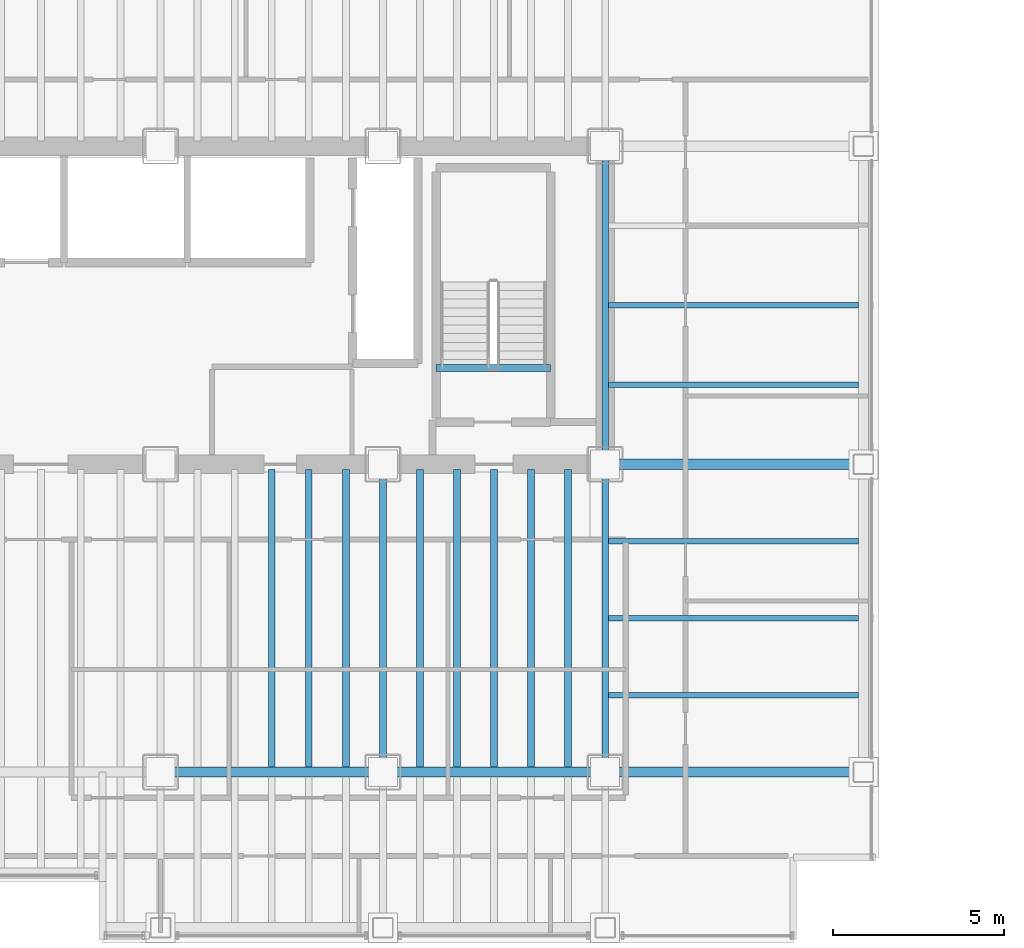
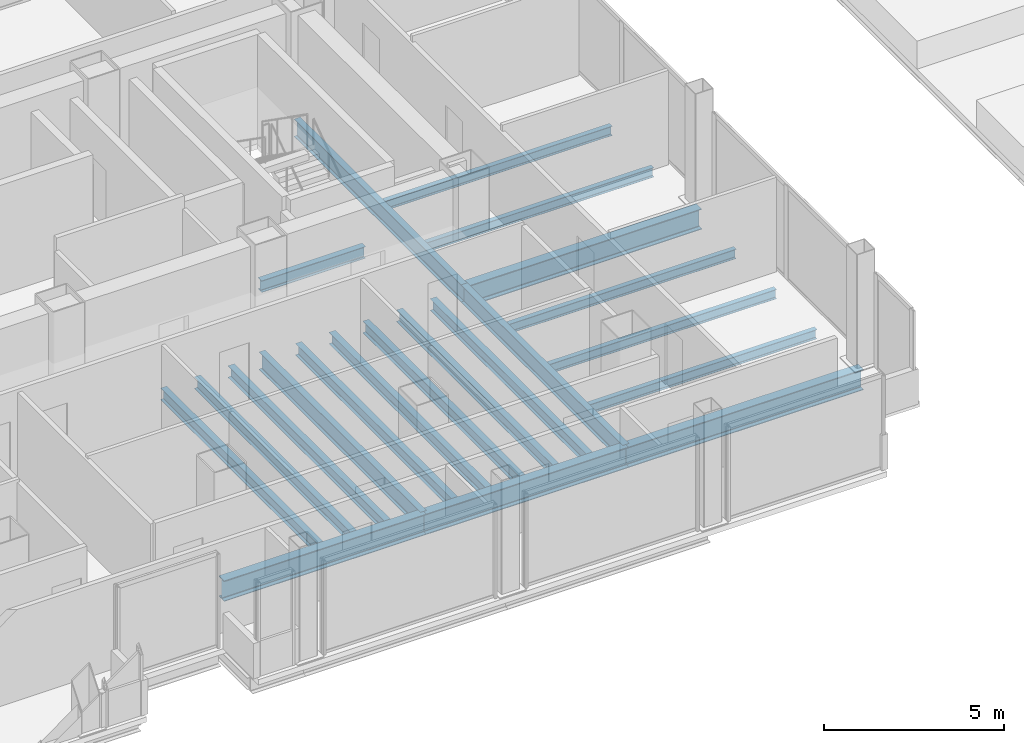
# One storey, part 11 of 30: 21 beams.
"""IFC4 building model written with IfcOpenShell, lengths in metres."""

from ifc_helpers import new_model, si_unit, direction, frame, origin, origin_2d, place, context, subcontext, project, spatial, i_section, extrude, material, material_profile, profile_set, type_object, element, save


model = new_model("IFC4")

# Units and contexts
model_context = context("Model", 3, precision=1e-05, world=origin(), true_north=direction((0.0, 1.0)))
body_context = subcontext(model_context, "Body", "Model", "MODEL_VIEW")
ifc_project = project(units=[si_unit("LENGTHUNIT", "METRE"), si_unit("AREAUNIT", "SQUARE_METRE"), si_unit("VOLUMEUNIT", "CUBIC_METRE"), si_unit("PLANEANGLEUNIT", "RADIAN"), si_unit("MASSUNIT", "GRAM", prefix="KILO")], contexts=[model_context])

# Site, building, storey
site_placement = place(None, origin())
site = spatial("IfcSite", under=ifc_project, at=site_placement, CompositionType="ELEMENT")
building_placement = place(site_placement, origin())
building = spatial("IfcBuilding", under=site, at=building_placement, Name="Noeulbin Bourse Tower", CompositionType="ELEMENT")
storey_placement = place(building_placement, frame((0.0, 0.0, 26.5)))
storey = spatial("IfcBuildingStorey", under=building, at=storey_placement, Name="L06", CompositionType="ELEMENT", Elevation=26.5)

# Beams
ifc_material = material(Name="Steel S355", Category="steel")
ifc_material_profile_1 = material_profile(ifc_material, i_section(OverallWidth=0.199951171875, OverallDepth=0.60009765625, WebThickness=0.010986328125, FlangeThickness=0.01708984375, FilletRadius=0.02197265625, at=origin_2d()), Name="H-600x200x11x17", Category="LoadBearing")
ifc_profile_set_1 = profile_set([ifc_material_profile_1], Name="Steel S355")
beam_type_1 = type_object("IfcBeamType", Name="BM-GRD-600", PredefinedType="USERDEFINED", material=ifc_profile_set_1)
for number, where, z_axis, x_axis, name in (
    (1, (37.5, 20.0, -0.47998046875), (0.0, 1.0, 0.0), (-1.0, 0.0, 0.0), "Tower Primary Girder NS L06-4.2"),
    (2, (44.0, 20.0, -0.47998046875), (0.0, 1.0, 0.0), (-1.0, 0.0, 0.0), "Tower Primary Girder NS L06-5.2"),
):
    element("IfcBeam", number, at=place(storey_placement, frame(where, z_axis=z_axis, x_axis=x_axis)), inside=storey, type_object=beam_type_1, Name=name, ObjectType="GIRDER", PredefinedType="USERDEFINED", context=body_context, shape_type="SweptSolid", body=[
        extrude(i_section(OverallWidth=0.199951171875, OverallDepth=0.60009765625, WebThickness=0.010986328125, FlangeThickness=0.01708984375, FilletRadius=0.02197265625, at=origin_2d()), origin(), (0.0, 0.0, 1.0), 9.0),
    ])
beam_1_placement = place(storey_placement, frame((44.0, 29.0, -0.47998046875), z_axis=(0.0, 1.0, 0.0), x_axis=(-1.0, 0.0, 0.0)))
element("IfcBeam", 3, at=beam_1_placement, inside=storey, type_object=beam_type_1, Name="Tower Primary Girder NS L06-5.3", ObjectType="GIRDER", PredefinedType="USERDEFINED", context=body_context, shape_type="SweptSolid", body=[
    extrude(i_section(OverallWidth=0.199951171875, OverallDepth=0.60009765625, WebThickness=0.010986328125, FlangeThickness=0.01708984375, FilletRadius=0.02197265625, at=origin_2d()), origin(), (0.0, 0.0, 1.0), 9.300048828125),
])
ifc_material_profile_2 = material_profile(ifc_material, i_section(OverallWidth=0.300048828125, OverallDepth=0.699951171875, WebThickness=0.012939453125, FlangeThickness=0.02392578125, FilletRadius=0.02392578125, at=origin_2d()), Name="H-700x300x13x24", Category="LoadBearing")
ifc_profile_set_2 = profile_set([ifc_material_profile_2], Name="Steel S355")
beam_type_2 = type_object("IfcBeamType", Name="BM-GRD-700", PredefinedType="USERDEFINED", material=ifc_profile_set_2)
for number, where, z_axis, x_axis, name in (
    (4, (31.0, 20.0, -0.530029296875), (1.0, 0.0, 0.0), (0.0, 1.0, 0.0), "Tower Primary Girder EW L06-1.4"),
    (5, (37.5, 20.0, -0.530029296875), (1.0, 0.0, 0.0), (0.0, 1.0, 0.0), "Tower Primary Girder EW L06-1.5"),
):
    element("IfcBeam", number, at=place(storey_placement, frame(where, z_axis=z_axis, x_axis=x_axis)), inside=storey, type_object=beam_type_2, Name=name, ObjectType="GIRDER", PredefinedType="USERDEFINED", context=body_context, shape_type="SweptSolid", body=[
        extrude(i_section(OverallWidth=0.300048828125, OverallDepth=0.699951171875, WebThickness=0.012939453125, FlangeThickness=0.02392578125, FilletRadius=0.02392578125, at=origin_2d()), origin(), (0.0, 0.0, 1.0), 6.5),
    ])
for number, where, z_axis, x_axis, name in (
    (6, (44.0, 20.0, -0.530029296875), (1.0, 0.0, 0.0), (0.0, 1.0, 0.0), "Tower Primary Girder EW L06-1.6"),
    (7, (44.0, 29.0, -0.530029296875), (1.0, 0.0, 0.0), (0.0, 1.0, 0.0), "Tower Primary Girder EW L06-2.6"),
):
    element("IfcBeam", number, at=place(storey_placement, frame(where, z_axis=z_axis, x_axis=x_axis)), inside=storey, type_object=beam_type_2, Name=name, ObjectType="GIRDER", PredefinedType="USERDEFINED", context=body_context, shape_type="SweptSolid", body=[
        extrude(i_section(OverallWidth=0.300048828125, OverallDepth=0.699951171875, WebThickness=0.012939453125, FlangeThickness=0.02392578125, FilletRadius=0.02392578125, at=origin_2d()), origin(), (0.0, 0.0, 1.0), 7.550048828125),
    ])
ifc_material_profile_3 = material_profile(ifc_material, i_section(OverallWidth=0.159912109375, OverallDepth=0.320068359375, WebThickness=0.006591796875, FlangeThickness=0.010009765625, FilletRadius=0.012939453125, at=origin_2d()), Name="H-320x160x6.5x10", Category="LoadBearing")
ifc_profile_set_3 = profile_set([ifc_material_profile_3], Name="Steel S355")
beam_type_3 = type_object("IfcBeamType", Name="BM-JST-320", PredefinedType="JOIST", material=ifc_profile_set_3)
for number, where, z_axis, x_axis, name in (
    (8, (44.10009765625, 22.25, -0.340087890625), (1.0, 0.0, 0.0), (0.0, 1.0, 0.0), "Wing Composite Joist L06-E75"),
    (9, (44.10009765625, 24.5, -0.340087890625), (1.0, 0.0, 0.0), (0.0, 1.0, 0.0), "Wing Composite Joist L06-E76"),
    (10, (44.10009765625, 26.75, -0.340087890625), (1.0, 0.0, 0.0), (0.0, 1.0, 0.0), "Wing Composite Joist L06-E77"),
    (11, (44.10009765625, 31.324951171875, -0.340087890625), (1.0, 0.0, 0.0), (0.0, 1.0, 0.0), "Wing Composite Joist L06-E78"),
    (12, (44.10009765625, 33.64990234375, -0.340087890625), (1.0, 0.0, 0.0), (0.0, 1.0, 0.0), "Wing Composite Joist L06-E79"),
):
    element("IfcBeam", number, at=place(storey_placement, frame(where, z_axis=z_axis, x_axis=x_axis)), inside=storey, type_object=beam_type_3, Name=name, PredefinedType="JOIST", context=body_context, shape_type="SweptSolid", body=[
        extrude(i_section(OverallWidth=0.159912109375, OverallDepth=0.320068359375, WebThickness=0.006591796875, FlangeThickness=0.010009765625, FilletRadius=0.012939453125, at=origin_2d()), origin(), (0.0, 0.0, 1.0), 7.2998046875),
    ])
ifc_material_profile_4 = material_profile(ifc_material, i_section(OverallWidth=0.199951171875, OverallDepth=0.39990234375, WebThickness=0.008056640625, FlangeThickness=0.012939453125, FilletRadius=0.01611328125, at=origin_2d()), Name="H-400x200x8x13", Category="LoadBearing")
ifc_profile_set_4 = profile_set([ifc_material_profile_4], Name="Steel S355")
beam_type_4 = type_object("IfcBeamType", Name="BM-SEC-400", PredefinedType="BEAM", material=ifc_profile_set_4)
for number, where, z_axis, x_axis, name in (
    (13, (34.25, 20.14990234375, -0.3798828125), (0.0, 1.0, 0.0), (-1.0, 0.0, 0.0), "Tower Composite Joist L06-46"),
    (14, (35.333251953125, 20.14990234375, -0.3798828125), (0.0, 1.0, 0.0), (-1.0, 0.0, 0.0), "Tower Composite Joist L06-49"),
    (15, (36.416748046875, 20.14990234375, -0.3798828125), (0.0, 1.0, 0.0), (-1.0, 0.0, 0.0), "Tower Composite Joist L06-52"),
    (16, (38.583251953125, 20.14990234375, -0.3798828125), (0.0, 1.0, 0.0), (-1.0, 0.0, 0.0), "Tower Composite Joist L06-55"),
    (17, (39.666748046875, 20.14990234375, -0.3798828125), (0.0, 1.0, 0.0), (-1.0, 0.0, 0.0), "Tower Composite Joist L06-58"),
    (18, (40.75, 20.14990234375, -0.3798828125), (0.0, 1.0, 0.0), (-1.0, 0.0, 0.0), "Tower Composite Joist L06-61"),
    (19, (41.833251953125, 20.14990234375, -0.3798828125), (0.0, 1.0, 0.0), (-1.0, 0.0, 0.0), "Tower Composite Joist L06-64"),
    (20, (42.916748046875, 20.14990234375, -0.3798828125), (0.0, 1.0, 0.0), (-1.0, 0.0, 0.0), "Tower Composite Joist L06-67"),
):
    element("IfcBeam", number, at=place(storey_placement, frame(where, z_axis=z_axis, x_axis=x_axis)), inside=storey, type_object=beam_type_4, Name=name, PredefinedType="BEAM", context=body_context, shape_type="SweptSolid", body=[
        extrude(i_section(OverallWidth=0.199951171875, OverallDepth=0.39990234375, WebThickness=0.008056640625, FlangeThickness=0.012939453125, FilletRadius=0.01611328125, at=origin_2d()), origin(), (0.0, 0.0, 1.0), 8.7001953125),
    ])
beam_2_placement = place(storey_placement, frame((39.06005859375, 31.820068359375, -0.199951171875), z_axis=(1.0, 0.0, 0.0), x_axis=(0.0, 1.0, 0.0)))
element("IfcBeam", 21, at=beam_2_placement, inside=storey, type_object=beam_type_4, Name="Stair Threshold Trimmer Beam ST2-L06", PredefinedType="BEAM", context=body_context, shape_type="SweptSolid", body=[
    extrude(i_section(OverallWidth=0.199951171875, OverallDepth=0.39990234375, WebThickness=0.008056640625, FlangeThickness=0.012939453125, FilletRadius=0.01611328125, at=origin_2d()), origin(), (0.0, 0.0, 1.0), 3.33984375),
])

save(model, "model.ifc")
